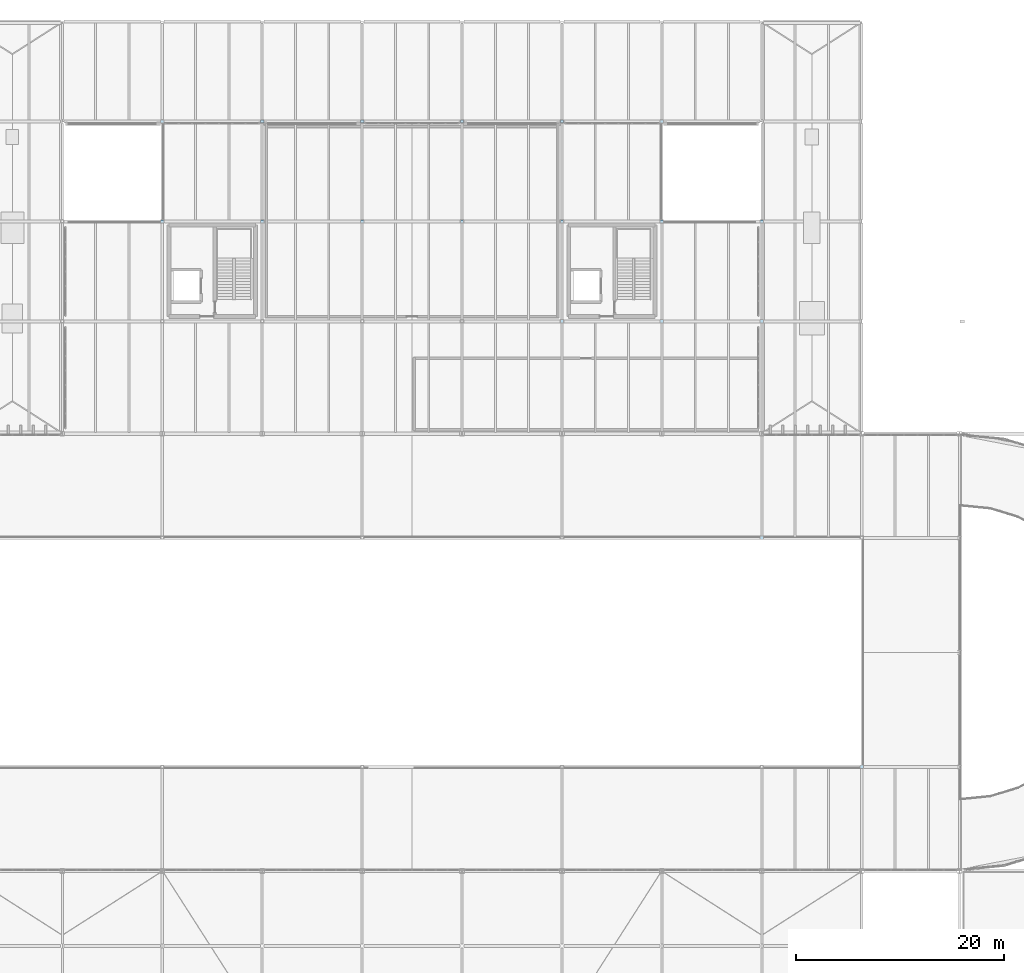
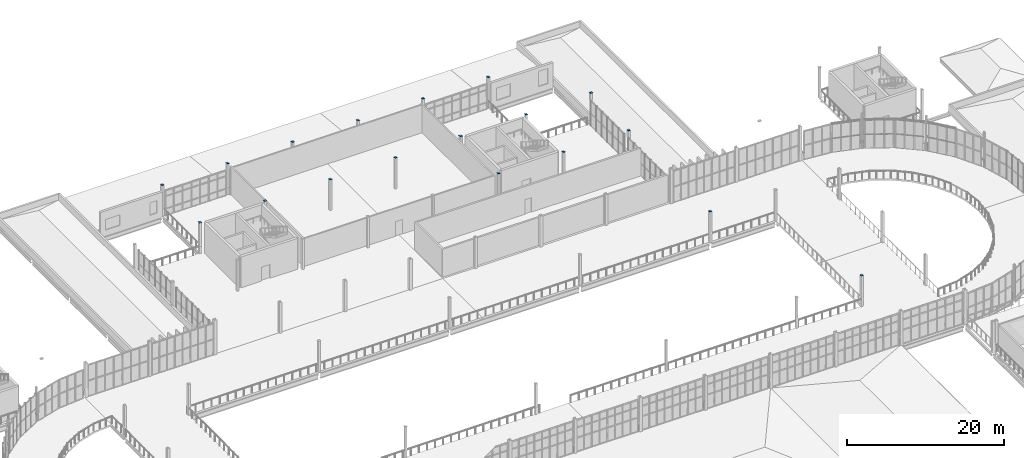
# One storey, part 89 of 112: 18 plates.
"""IFC4 building model written with IfcOpenShell, lengths in metres."""

from ifc_helpers import new_model, si_unit, direction, frame, origin, origin_2d, place, context, subcontext, project, spatial, rectangle, extrude, material, layer, layer_set, type_object, element, save


model = new_model("IFC4")

# Units and contexts
model_context = context("Model", 3, precision=1e-05, world=origin(), true_north=direction((0.0, 1.0)))
body_context = subcontext(model_context, "Body", "Model", "MODEL_VIEW")
ifc_project = project(units=[si_unit("LENGTHUNIT", "METRE"), si_unit("AREAUNIT", "SQUARE_METRE"), si_unit("VOLUMEUNIT", "CUBIC_METRE"), si_unit("PLANEANGLEUNIT", "RADIAN"), si_unit("MASSUNIT", "GRAM", prefix="KILO")], contexts=[model_context])

# Site, building, storey
site_placement = place(None, origin())
site = spatial("IfcSite", under=ifc_project, at=site_placement, CompositionType="ELEMENT")
building_placement = place(site_placement, origin())
building = spatial("IfcBuilding", under=site, at=building_placement, Name="Yeouljin Market Hall", CompositionType="ELEMENT")
storey_placement = place(building_placement, frame((0.0, 0.0, 6.0)))
storey = spatial("IfcBuildingStorey", under=building, at=storey_placement, Name="L01", CompositionType="ELEMENT", Elevation=6.0)

# Plates
ifc_material = material(Name="Steel SM355", Category="steel")
ifc_layer = layer(ifc_material, 0.02001953125)
ifc_layer_set = layer_set([ifc_layer], Name="Steel SM355")
plate_type = type_object("IfcPlateType", Name="CapPlate_320x320x20", PredefinedType="SHEET", material=ifc_layer_set)
for number, where, z_axis, x_axis, name in (
    (1, (64.199951171875, 98.39990234375, 4.800048828125), (0.0, 0.0, 1.0), (1.0, 0.0, 0.0), "Hollow column top cap plate G-08-10 (L01)"),
    (2, (64.199951171875, 108.0, 4.800048828125), (0.0, 0.0, 1.0), (1.0, 0.0, 0.0), "Hollow column top cap plate G-08-11 (L01)"),
    (3, (73.800048828125, 98.39990234375, 4.800048828125), (0.0, 0.0, 1.0), (1.0, 0.0, 0.0), "Hollow column top cap plate G-09-10 (L01)"),
    (4, (73.800048828125, 108.0, 4.800048828125), (0.0, 0.0, 1.0), (1.0, 0.0, 0.0), "Hollow column top cap plate G-09-11 (L01)"),
    (5, (83.39990234375, 98.39990234375, 4.800048828125), (0.0, 0.0, 1.0), (1.0, 0.0, 0.0), "Hollow column top cap plate G-10-10 (L01)"),
    (6, (83.39990234375, 108.0, 4.800048828125), (0.0, 0.0, 1.0), (1.0, 0.0, 0.0), "Hollow column top cap plate G-10-11 (L01)"),
    (7, (93.0, 98.39990234375, 4.800048828125), (0.0, 0.0, 1.0), (1.0, 0.0, 0.0), "Hollow column top cap plate G-11-10 (L01)"),
    (8, (93.0, 108.0, 4.800048828125), (0.0, 0.0, 1.0), (1.0, 0.0, 0.0), "Hollow column top cap plate G-11-11 (L01)"),
    (9, (102.60009765625, 88.800048828125, 4.800048828125), (0.0, 0.0, 1.0), (1.0, 0.0, 0.0), "Hollow column top cap plate G-12-09 (L01)"),
    (10, (102.60009765625, 98.39990234375, 4.800048828125), (0.0, 0.0, 1.0), (1.0, 0.0, 0.0), "Hollow column top cap plate G-12-10 (L01)"),
    (11, (102.60009765625, 108.0, 4.800048828125), (0.0, 0.0, 1.0), (1.0, 0.0, 0.0), "Hollow column top cap plate G-12-11 (L01)"),
    (12, (112.199951171875, 88.800048828125, 4.800048828125), (0.0, 0.0, 1.0), (1.0, 0.0, 0.0), "Hollow column top cap plate G-13-09 (L01)"),
    (13, (112.199951171875, 98.39990234375, 4.800048828125), (0.0, 0.0, 1.0), (1.0, 0.0, 0.0), "Hollow column top cap plate G-13-10 (L01)"),
    (14, (112.199951171875, 108.0, 4.800048828125), (0.0, 0.0, 1.0), (1.0, 0.0, 0.0), "Hollow column top cap plate G-13-11 (L01)"),
    (15, (121.800048828125, 68.0, 4.800048828125), (0.0, 0.0, 1.0), (1.0, 0.0, 0.0), "Hollow column top cap plate G-14-07 (L01)"),
    (16, (121.800048828125, 88.800048828125, 4.800048828125), (0.0, 0.0, 1.0), (1.0, 0.0, 0.0), "Hollow column top cap plate G-14-09 (L01)"),
    (17, (121.800048828125, 98.39990234375, 4.800048828125), (0.0, 0.0, 1.0), (1.0, 0.0, 0.0), "Hollow column top cap plate G-14-10 (L01)"),
    (18, (131.39990234375, 46.0, 4.800048828125), (0.0, 0.0, 1.0), (1.0, 0.0, 0.0), "Hollow column top cap plate G-15-05 (L01)"),
):
    element("IfcPlate", number, at=place(storey_placement, frame(where, z_axis=z_axis, x_axis=x_axis)), inside=storey, type_object=plate_type, Name=name, PredefinedType="SHEET", context=body_context, shape_type="SweptSolid", body=[
        extrude(rectangle(XDim=0.320068359375, YDim=0.320068359375, at=origin_2d()), origin(), (0.0, 0.0, 1.0), 0.02001953125),
    ])

save(model, "model.ifc")
